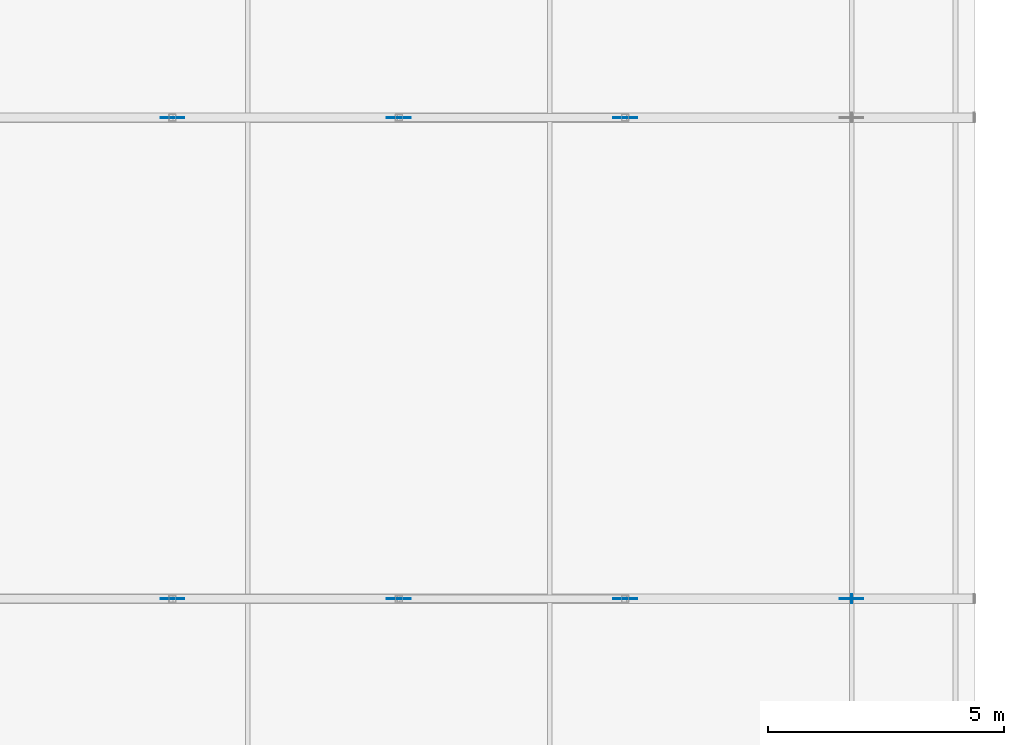
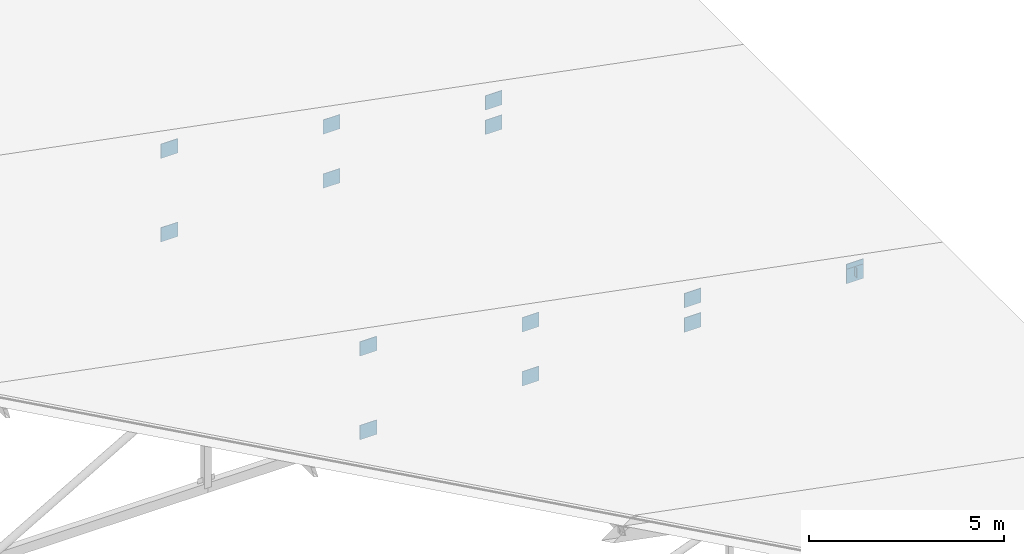
# One storey, part 158 of 200: 15 plates.
"""IFC4 building model written with IfcOpenShell, lengths in metres."""

from ifc_helpers import new_model, si_unit, direction, frame, origin, origin_2d, place, context, subcontext, project, spatial, rectangle, extrude, material, layer, layer_set, type_object, element, save


model = new_model("IFC4")

# Units and contexts
model_context = context("Model", 3, precision=1e-05, world=origin(), true_north=direction((0.0, 1.0)))
body_context = subcontext(model_context, "Body", "Model", "MODEL_VIEW")
ifc_project = project(units=[si_unit("LENGTHUNIT", "METRE"), si_unit("AREAUNIT", "SQUARE_METRE"), si_unit("VOLUMEUNIT", "CUBIC_METRE"), si_unit("PLANEANGLEUNIT", "RADIAN"), si_unit("MASSUNIT", "GRAM", prefix="KILO")], contexts=[model_context])

# Site, building, storey
site_placement = place(None, origin())
site = spatial("IfcSite", under=ifc_project, at=site_placement, CompositionType="ELEMENT")
building_placement = place(site_placement, origin())
building = spatial("IfcBuilding", under=site, at=building_placement, Name="Vondelvale Polytechnic", CompositionType="ELEMENT")
storey_placement = place(building_placement, frame((0.0, 0.0, 13.800048828125)))
storey = spatial("IfcBuildingStorey", under=building, at=storey_placement, Name="L03", CompositionType="ELEMENT", Elevation=13.800048828125)

# Plates
ifc_material = material(Name="Steel Grade 350 (fy = 340 MPa)", Category="steel")
ifc_layer_1 = layer(ifc_material, 0.01611328125)
ifc_layer_set_1 = layer_set([ifc_layer_1], Name="PLATE-CAP-300x200")
plate_type_1 = type_object("IfcPlateType", Name="PLATE-CAP-300x200", PredefinedType="USERDEFINED", material=ifc_layer_set_1)
plate_placement = place(storey_placement, frame((48.0, 81.60009765625, -0.5703125), z_axis=(0.0, 0.0, 1.0), x_axis=(1.0, 0.0, 0.0)))
element("IfcPlate", 1, at=plate_placement, inside=storey, type_object=plate_type_1, Name="ROOF TRUSS bottom chord cap plate E", ObjectType="CAP_PLATE", PredefinedType="USERDEFINED", context=body_context, shape_type="SweptSolid", body=[
    extrude(rectangle(XDim=0.01611328125, YDim=0.199951171875, at=origin_2d()), origin(), (0.0, 0.0, 1.0), 0.300048828125),
])
ifc_layer_2 = layer(ifc_material, 0.01611328125)
ifc_layer_set_2 = layer_set([ifc_layer_2], Name="PLATE-GUSSET-16")
plate_type_2 = type_object("IfcPlateType", Name="PLATE-GUSSET-16", PredefinedType="USERDEFINED", material=ifc_layer_set_2)
for number, where, z_axis, x_axis, name in (
    (2, (33.60009765625, 81.60009765625, 2.0498046875), (0.0, 0.0, 1.0), (1.0, 0.0, 0.0), "ROOF TRUSS top chord gusset node plate 6"),
    (3, (33.60009765625, 81.60009765625, -0.56494140625), (0.0, 0.0, 1.0), (1.0, 0.0, 0.0), "ROOF TRUSS bottom chord gusset node plate 6"),
    (4, (38.39990234375, 81.60009765625, 1.125), (0.0, 0.0, 1.0), (1.0, 0.0, 0.0), "ROOF TRUSS top chord gusset node plate 7"),
    (5, (38.39990234375, 81.60009765625, -0.56494140625), (0.0, 0.0, 1.0), (1.0, 0.0, 0.0), "ROOF TRUSS bottom chord gusset node plate 7"),
    (6, (43.199951171875, 81.60009765625, 0.2001953125), (0.0, 0.0, 1.0), (1.0, 0.0, 0.0), "ROOF TRUSS top chord gusset node plate 8"),
    (7, (43.199951171875, 81.60009765625, -0.56494140625), (0.0, 0.0, 1.0), (1.0, 0.0, 0.0), "ROOF TRUSS bottom chord gusset node plate 8"),
    (8, (48.0, 81.60009765625, -0.72509765625), (0.0, 0.0, 1.0), (1.0, 0.0, 0.0), "ROOF TRUSS top chord gusset node plate 9"),
    (9, (48.0, 81.60009765625, -0.56494140625), (0.0, 0.0, 1.0), (1.0, 0.0, 0.0), "ROOF TRUSS bottom chord gusset node plate 9"),
    (10, (33.60009765625, 91.800048828125, 2.0498046875), (0.0, 0.0, 1.0), (1.0, 0.0, 0.0), "ROOF TRUSS top chord gusset node plate 6"),
    (11, (33.60009765625, 91.800048828125, -0.56494140625), (0.0, 0.0, 1.0), (1.0, 0.0, 0.0), "ROOF TRUSS bottom chord gusset node plate 6"),
    (12, (38.39990234375, 91.800048828125, 1.125), (0.0, 0.0, 1.0), (1.0, 0.0, 0.0), "ROOF TRUSS top chord gusset node plate 7"),
    (13, (38.39990234375, 91.800048828125, -0.56494140625), (0.0, 0.0, 1.0), (1.0, 0.0, 0.0), "ROOF TRUSS bottom chord gusset node plate 7"),
    (14, (43.199951171875, 91.800048828125, 0.2001953125), (0.0, 0.0, 1.0), (1.0, 0.0, 0.0), "ROOF TRUSS top chord gusset node plate 8"),
    (15, (43.199951171875, 91.800048828125, -0.56494140625), (0.0, 0.0, 1.0), (1.0, 0.0, 0.0), "ROOF TRUSS bottom chord gusset node plate 8"),
):
    element("IfcPlate", number, at=place(storey_placement, frame(where, z_axis=z_axis, x_axis=x_axis)), inside=storey, type_object=plate_type_2, Name=name, ObjectType="GUSSET_PLATE", PredefinedType="USERDEFINED", context=body_context, shape_type="SweptSolid", body=[
        extrude(rectangle(XDim=0.5, YDim=0.01611328125, at=origin_2d()), origin(), (0.0, 0.0, 1.0), 0.449951171875),
    ])

save(model, "model.ifc")
